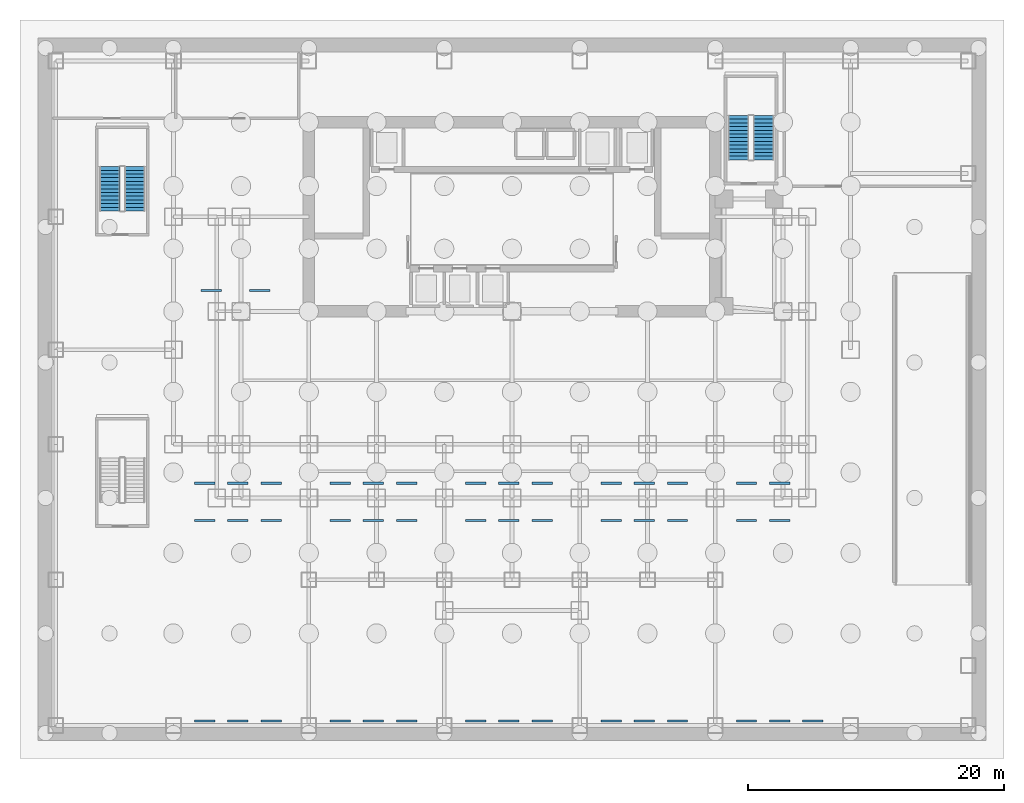
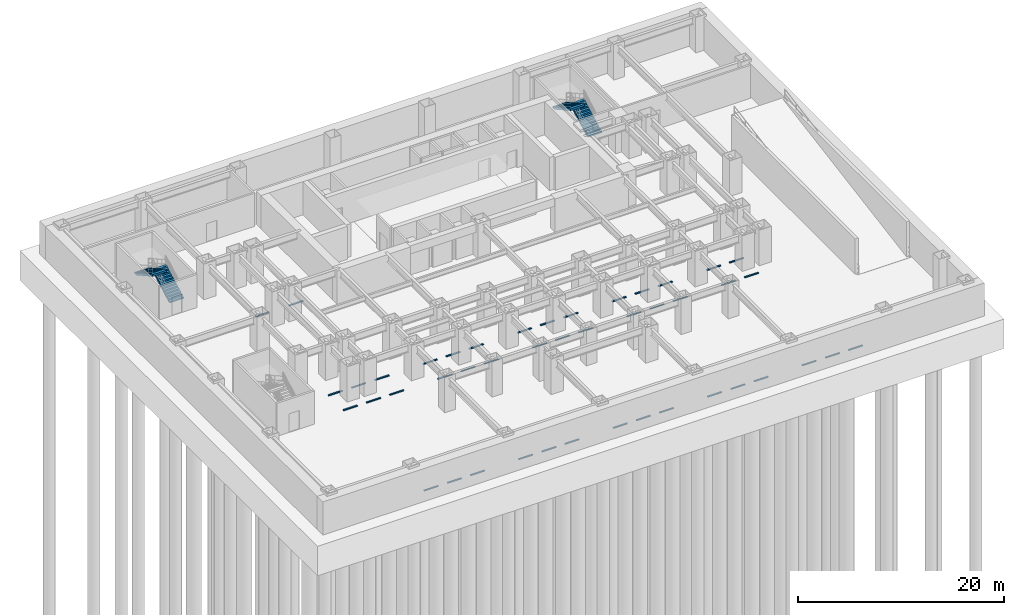
# One storey, part 5 of 7: 45 discrete accessories, 4 stair flights, 2 elements without a shape of their own.
"""IFC4 building model written with IfcOpenShell, lengths in metres."""

from ifc_helpers import new_model, si_unit, direction, frame, origin, origin_2d, place, context, subcontext, project, spatial, polyline, rectangle, outline, extrude, source, transform, mapped, material, type_object, element, aggregate, save


model = new_model("IFC4")

# Units and contexts
model_context = context("Model", 3, precision=1e-05, world=origin(), true_north=direction((0.0, 1.0)))
body_context = subcontext(model_context, "Body", "Model", "MODEL_VIEW")
ifc_project = project(units=[si_unit("LENGTHUNIT", "METRE"), si_unit("AREAUNIT", "SQUARE_METRE"), si_unit("VOLUMEUNIT", "CUBIC_METRE"), si_unit("PLANEANGLEUNIT", "RADIAN"), si_unit("MASSUNIT", "GRAM", prefix="KILO")], contexts=[model_context])

# Site, building, storey
site_placement = place(None, origin())
site = spatial("IfcSite", under=ifc_project, at=site_placement, CompositionType="ELEMENT")
building_placement = place(site_placement, origin())
building = spatial("IfcBuilding", under=site, at=building_placement, Name="Qianlan Lanfeng Residences", CompositionType="ELEMENT")
storey_placement = place(building_placement, frame((0.0, 0.0, -8.39990234375)))
storey = spatial("IfcBuildingStorey", under=building, at=storey_placement, Name="B2", CompositionType="ELEMENT", Elevation=-8.39990234375)

# Stair, stair flights
ifc_material_1 = material(Name="Concrete C42", Category="concrete")
stair_type = type_object("IfcStairType", Name="STR-POD", PredefinedType="HALF_TURN_STAIR", material=ifc_material_1)
stair_1_placement = place(storey_placement, origin())
stair_1 = element("IfcStair", 1, at=stair_1_placement, inside=storey, type_object=stair_type, Name="B2 Exit Stair ST-B1", PredefinedType="HALF_TURN_STAIR")
stair_flight_type = type_object("IfcStairFlightType", Name="FLT-1650", PredefinedType="STRAIGHT", material=ifc_material_1)
stair_flight_1_placement = place(storey_placement, frame((-3.02001953125, 33.050048828125, 0.0), z_axis=(0.0, 0.0, 1.0), x_axis=(0.0, 1.0, 0.0)))
stair_flight_1 = element("IfcStairFlight", 2, at=stair_flight_1_placement, type_object=stair_flight_type, Name="ST-B1 flight 1", NumberOfRisers=13, NumberOfTreads=12, PredefinedType="STRAIGHT", RiserHeight=0.161538462, TreadLength=0.29, context=body_context, shape_type="SweptSolid", body=[
    extrude(outline(polyline([(0.0, 0.0), (0.0, 0.16162109375), (0.2900390625, 0.16162109375), (0.2900390625, 0.322998046875), (0.580078125, 0.322998046875), (0.580078125, 0.484619140625), (0.8701171875, 0.484619140625), (0.8701171875, 0.646240234375), (1.159912109375, 0.646240234375), (1.159912109375, 0.8076171875), (1.449951171875, 0.8076171875), (1.449951171875, 0.96923828125), (1.739990234375, 0.96923828125), (1.739990234375, 1.130859375), (2.030029296875, 1.130859375), (2.030029296875, 1.292236328125), (2.320068359375, 1.292236328125), (2.320068359375, 1.453857421875), (2.610107421875, 1.453857421875), (2.610107421875, 1.615478515625), (2.89990234375, 1.615478515625), (2.89990234375, 1.77685546875), (3.18994140625, 1.77685546875), (3.18994140625, 1.9384765625), (3.47998046875, 1.9384765625), (3.47998046875, 2.10009765625), (3.47998046875, 1.732421875), (0.369873046875, 0.0), (0.0, 0.0)])), frame((0.0, 0.7900390625, 0.0), z_axis=(0.0, -1.0, 0.0), x_axis=(1.0, 0.0, 0.0)), (0.0, 0.0, 1.0), 1.580078125),
])
stair_flight_2_placement = place(storey_placement, frame((-4.97998046875, 36.530029296875, 2.099853515625), z_axis=(0.0, 0.0, 1.0), x_axis=(0.0, -1.0, 0.0)))
stair_flight_2 = element("IfcStairFlight", 3, at=stair_flight_2_placement, type_object=stair_flight_type, Name="ST-B1 flight 2", NumberOfRisers=13, NumberOfTreads=12, PredefinedType="STRAIGHT", RiserHeight=0.161538462, TreadLength=0.29, context=body_context, shape_type="SweptSolid", body=[
    extrude(outline(polyline([(0.0, 0.0), (0.0, 0.16162109375), (0.2900390625, 0.16162109375), (0.2900390625, 0.322998046875), (0.580078125, 0.322998046875), (0.580078125, 0.484619140625), (0.8701171875, 0.484619140625), (0.8701171875, 0.646240234375), (1.159912109375, 0.646240234375), (1.159912109375, 0.8076171875), (1.449951171875, 0.8076171875), (1.449951171875, 0.96923828125), (1.739990234375, 0.96923828125), (1.739990234375, 1.130859375), (2.030029296875, 1.130859375), (2.030029296875, 1.292236328125), (2.320068359375, 1.292236328125), (2.320068359375, 1.453857421875), (2.610107421875, 1.453857421875), (2.610107421875, 1.615478515625), (2.89990234375, 1.615478515625), (2.89990234375, 1.77685546875), (3.18994140625, 1.77685546875), (3.18994140625, 1.9384765625), (3.47998046875, 1.9384765625), (3.47998046875, 2.10009765625), (3.47998046875, 1.732421875), (0.369873046875, 0.0), (0.0, 0.0)])), frame((0.0, 0.7900390625, 0.0), z_axis=(0.0, -1.0, 0.0), x_axis=(1.0, 0.0, 0.0)), (0.0, 0.0, 1.0), 1.580078125),
])
aggregate(stair_1, [stair_flight_1, stair_flight_2])

stair_2_placement = place(storey_placement, origin())
stair_2 = element("IfcStair", 4, at=stair_2_placement, inside=storey, type_object=stair_type, Name="B2 Exit Stair ST-B2", PredefinedType="HALF_TURN_STAIR")
stair_flight_3_placement = place(storey_placement, frame((46.179931640625, 37.050048828125, 0.0), z_axis=(0.0, 0.0, 1.0), x_axis=(0.0, 1.0, 0.0)))
stair_flight_3 = element("IfcStairFlight", 5, at=stair_flight_3_placement, type_object=stair_flight_type, Name="ST-B2 flight 1", NumberOfRisers=13, NumberOfTreads=12, PredefinedType="STRAIGHT", RiserHeight=0.161538462, TreadLength=0.29, context=body_context, shape_type="SweptSolid", body=[
    extrude(outline(polyline([(0.0, 0.0), (0.0, 0.16162109375), (0.2900390625, 0.16162109375), (0.2900390625, 0.322998046875), (0.580078125, 0.322998046875), (0.580078125, 0.484619140625), (0.8701171875, 0.484619140625), (0.8701171875, 0.646240234375), (1.159912109375, 0.646240234375), (1.159912109375, 0.8076171875), (1.449951171875, 0.8076171875), (1.449951171875, 0.96923828125), (1.739990234375, 0.96923828125), (1.739990234375, 1.130859375), (2.030029296875, 1.130859375), (2.030029296875, 1.292236328125), (2.320068359375, 1.292236328125), (2.320068359375, 1.453857421875), (2.610107421875, 1.453857421875), (2.610107421875, 1.615478515625), (2.89990234375, 1.615478515625), (2.89990234375, 1.77685546875), (3.18994140625, 1.77685546875), (3.18994140625, 1.9384765625), (3.47998046875, 1.9384765625), (3.47998046875, 2.10009765625), (3.47998046875, 1.732421875), (0.369873046875, 0.0), (0.0, 0.0)])), frame((0.0, 0.7900390625, 0.0), z_axis=(0.0, -1.0, 0.0), x_axis=(1.0, 0.0, 0.0)), (0.0, 0.0, 1.0), 1.580078125),
])
stair_flight_4_placement = place(storey_placement, frame((44.219970703125, 40.530029296875, 2.099853515625), z_axis=(0.0, 0.0, 1.0), x_axis=(0.0, -1.0, 0.0)))
stair_flight_4 = element("IfcStairFlight", 6, at=stair_flight_4_placement, type_object=stair_flight_type, Name="ST-B2 flight 2", NumberOfRisers=13, NumberOfTreads=12, PredefinedType="STRAIGHT", RiserHeight=0.161538462, TreadLength=0.29, context=body_context, shape_type="SweptSolid", body=[
    extrude(outline(polyline([(0.0, 0.0), (0.0, 0.16162109375), (0.2900390625, 0.16162109375), (0.2900390625, 0.322998046875), (0.580078125, 0.322998046875), (0.580078125, 0.484619140625), (0.8701171875, 0.484619140625), (0.8701171875, 0.646240234375), (1.159912109375, 0.646240234375), (1.159912109375, 0.8076171875), (1.449951171875, 0.8076171875), (1.449951171875, 0.96923828125), (1.739990234375, 0.96923828125), (1.739990234375, 1.130859375), (2.030029296875, 1.130859375), (2.030029296875, 1.292236328125), (2.320068359375, 1.292236328125), (2.320068359375, 1.453857421875), (2.610107421875, 1.453857421875), (2.610107421875, 1.615478515625), (2.89990234375, 1.615478515625), (2.89990234375, 1.77685546875), (3.18994140625, 1.77685546875), (3.18994140625, 1.9384765625), (3.47998046875, 1.9384765625), (3.47998046875, 2.10009765625), (3.47998046875, 1.732421875), (0.369873046875, 0.0), (0.0, 0.0)])), frame((0.0, 0.7900390625, 0.0), z_axis=(0.0, -1.0, 0.0), x_axis=(1.0, 0.0, 0.0)), (0.0, 0.0, 1.0), 1.580078125),
])
aggregate(stair_2, [stair_flight_3, stair_flight_4])

# Discrete accessories
ifc_material_2 = material(Name="Vulcanised Recycled Rubber Wheel Stop")
discrete_accessory_type = type_object("IfcDiscreteAccessoryType", Name="PK-WS-1600", PredefinedType="USERDEFINED", material=ifc_material_2)
shared_shape = source(origin(), body_context, "Body", "SweptSolid", [
    extrude(rectangle(XDim=1.60009765625, YDim=0.159912109375, at=origin_2d()), origin(), (0.0, 0.0, 1.0), 0.1201171875),
])
for number, where, z_axis, x_axis, name in (
    (7, (2.449951171875, -6.85009765625, -0.005126953125), (0.0, 0.0, 1.0), (1.0, 0.0, 0.0), "B2 Parking Bay Wheel Stop PK-001"),
    (8, (5.050048828125, -6.85009765625, -0.005126953125), (0.0, 0.0, 1.0), (1.0, 0.0, 0.0), "B2 Parking Bay Wheel Stop PK-002"),
    (9, (7.64990234375, -6.85009765625, -0.005126953125), (0.0, 0.0, 1.0), (1.0, 0.0, 0.0), "B2 Parking Bay Wheel Stop PK-003"),
    (10, (13.050048828125, -6.85009765625, -0.005126953125), (0.0, 0.0, 1.0), (1.0, 0.0, 0.0), "B2 Parking Bay Wheel Stop PK-004"),
    (11, (15.64990234375, -6.85009765625, -0.005126953125), (0.0, 0.0, 1.0), (1.0, 0.0, 0.0), "B2 Parking Bay Wheel Stop PK-005"),
    (12, (18.25, -6.85009765625, -0.005126953125), (0.0, 0.0, 1.0), (1.0, 0.0, 0.0), "B2 Parking Bay Wheel Stop PK-006"),
    (13, (23.64990234375, -6.85009765625, -0.005126953125), (0.0, 0.0, 1.0), (1.0, 0.0, 0.0), "B2 Parking Bay Wheel Stop PK-007"),
    (14, (26.25, -6.85009765625, -0.005126953125), (0.0, 0.0, 1.0), (1.0, 0.0, 0.0), "B2 Parking Bay Wheel Stop PK-008"),
    (15, (28.85009765625, -6.85009765625, -0.005126953125), (0.0, 0.0, 1.0), (1.0, 0.0, 0.0), "B2 Parking Bay Wheel Stop PK-009"),
    (16, (34.25, -6.85009765625, -0.005126953125), (0.0, 0.0, 1.0), (1.0, 0.0, 0.0), "B2 Parking Bay Wheel Stop PK-010"),
    (17, (36.85009765625, -6.85009765625, -0.005126953125), (0.0, 0.0, 1.0), (1.0, 0.0, 0.0), "B2 Parking Bay Wheel Stop PK-011"),
    (18, (39.449951171875, -6.85009765625, -0.005126953125), (0.0, 0.0, 1.0), (1.0, 0.0, 0.0), "B2 Parking Bay Wheel Stop PK-012"),
    (19, (44.85009765625, -6.85009765625, -0.005126953125), (0.0, 0.0, 1.0), (1.0, 0.0, 0.0), "B2 Parking Bay Wheel Stop PK-013"),
    (20, (47.449951171875, -6.85009765625, -0.005126953125), (0.0, 0.0, 1.0), (1.0, 0.0, 0.0), "B2 Parking Bay Wheel Stop PK-014"),
    (21, (50.050048828125, -6.85009765625, -0.005126953125), (0.0, 0.0, 1.0), (1.0, 0.0, 0.0), "B2 Parking Bay Wheel Stop PK-015"),
    (22, (2.449951171875, 8.85009765625, -0.005126953125), (0.0, 0.0, 1.0), (1.0, 0.0, 0.0), "B2 Parking Bay Wheel Stop PK-016"),
    (23, (5.050048828125, 8.85009765625, -0.005126953125), (0.0, 0.0, 1.0), (1.0, 0.0, 0.0), "B2 Parking Bay Wheel Stop PK-017"),
    (24, (7.64990234375, 8.85009765625, -0.005126953125), (0.0, 0.0, 1.0), (1.0, 0.0, 0.0), "B2 Parking Bay Wheel Stop PK-018"),
    (25, (13.050048828125, 8.85009765625, -0.005126953125), (0.0, 0.0, 1.0), (1.0, 0.0, 0.0), "B2 Parking Bay Wheel Stop PK-019"),
    (26, (15.64990234375, 8.85009765625, -0.005126953125), (0.0, 0.0, 1.0), (1.0, 0.0, 0.0), "B2 Parking Bay Wheel Stop PK-020"),
    (27, (18.25, 8.85009765625, -0.005126953125), (0.0, 0.0, 1.0), (1.0, 0.0, 0.0), "B2 Parking Bay Wheel Stop PK-021"),
    (28, (23.64990234375, 8.85009765625, -0.005126953125), (0.0, 0.0, 1.0), (1.0, 0.0, 0.0), "B2 Parking Bay Wheel Stop PK-022"),
    (29, (26.25, 8.85009765625, -0.005126953125), (0.0, 0.0, 1.0), (1.0, 0.0, 0.0), "B2 Parking Bay Wheel Stop PK-023"),
    (30, (28.85009765625, 8.85009765625, -0.005126953125), (0.0, 0.0, 1.0), (1.0, 0.0, 0.0), "B2 Parking Bay Wheel Stop PK-024"),
    (31, (34.25, 8.85009765625, -0.005126953125), (0.0, 0.0, 1.0), (1.0, 0.0, 0.0), "B2 Parking Bay Wheel Stop PK-025"),
    (32, (36.85009765625, 8.85009765625, -0.005126953125), (0.0, 0.0, 1.0), (1.0, 0.0, 0.0), "B2 Parking Bay Wheel Stop PK-026"),
    (33, (39.449951171875, 8.85009765625, -0.005126953125), (0.0, 0.0, 1.0), (1.0, 0.0, 0.0), "B2 Parking Bay Wheel Stop PK-027"),
    (34, (44.85009765625, 8.85009765625, -0.005126953125), (0.0, 0.0, 1.0), (1.0, 0.0, 0.0), "B2 Parking Bay Wheel Stop PK-028"),
    (35, (47.449951171875, 8.85009765625, -0.005126953125), (0.0, 0.0, 1.0), (1.0, 0.0, 0.0), "B2 Parking Bay Wheel Stop PK-029"),
    (36, (2.449951171875, 11.75, -0.005126953125), (0.0, 0.0, 1.0), (1.0, 0.0, 0.0), "B2 Parking Bay Wheel Stop PK-030"),
    (37, (5.050048828125, 11.75, -0.005126953125), (0.0, 0.0, 1.0), (1.0, 0.0, 0.0), "B2 Parking Bay Wheel Stop PK-031"),
    (38, (7.64990234375, 11.75, -0.005126953125), (0.0, 0.0, 1.0), (1.0, 0.0, 0.0), "B2 Parking Bay Wheel Stop PK-032"),
    (39, (13.050048828125, 11.75, -0.005126953125), (0.0, 0.0, 1.0), (1.0, 0.0, 0.0), "B2 Parking Bay Wheel Stop PK-033"),
    (40, (15.64990234375, 11.75, -0.005126953125), (0.0, 0.0, 1.0), (1.0, 0.0, 0.0), "B2 Parking Bay Wheel Stop PK-034"),
    (41, (18.25, 11.75, -0.005126953125), (0.0, 0.0, 1.0), (1.0, 0.0, 0.0), "B2 Parking Bay Wheel Stop PK-035"),
    (42, (23.64990234375, 11.75, -0.005126953125), (0.0, 0.0, 1.0), (1.0, 0.0, 0.0), "B2 Parking Bay Wheel Stop PK-036"),
    (43, (26.25, 11.75, -0.005126953125), (0.0, 0.0, 1.0), (1.0, 0.0, 0.0), "B2 Parking Bay Wheel Stop PK-037"),
    (44, (28.85009765625, 11.75, -0.005126953125), (0.0, 0.0, 1.0), (1.0, 0.0, 0.0), "B2 Parking Bay Wheel Stop PK-038"),
    (45, (34.25, 11.75, -0.005126953125), (0.0, 0.0, 1.0), (1.0, 0.0, 0.0), "B2 Parking Bay Wheel Stop PK-039"),
    (46, (36.85009765625, 11.75, -0.005126953125), (0.0, 0.0, 1.0), (1.0, 0.0, 0.0), "B2 Parking Bay Wheel Stop PK-040"),
    (47, (39.449951171875, 11.75, -0.005126953125), (0.0, 0.0, 1.0), (1.0, 0.0, 0.0), "B2 Parking Bay Wheel Stop PK-041"),
    (48, (44.85009765625, 11.75, -0.005126953125), (0.0, 0.0, 1.0), (1.0, 0.0, 0.0), "B2 Parking Bay Wheel Stop PK-042"),
    (49, (47.449951171875, 11.75, -0.005126953125), (0.0, 0.0, 1.0), (1.0, 0.0, 0.0), "B2 Parking Bay Wheel Stop PK-043"),
    (50, (2.949951171875, 26.85009765625, -0.005126953125), (0.0, 0.0, 1.0), (1.0, 0.0, 0.0), "B2 Accessible Parking Bay Wheel Stop PK-ACC-044"),
    (51, (6.75, 26.85009765625, -0.005126953125), (0.0, 0.0, 1.0), (1.0, 0.0, 0.0), "B2 Accessible Parking Bay Wheel Stop PK-ACC-045"),
):
    element("IfcDiscreteAccessory", number, at=place(storey_placement, frame(where, z_axis=z_axis, x_axis=x_axis)), inside=storey, type_object=discrete_accessory_type, Name=name, ObjectType="WHEEL_STOP", PredefinedType="USERDEFINED", context=body_context, shape_type="MappedRepresentation", body=[
        mapped(shared_shape, transform((0.0, 0.0, 0.0), scale=1.0)),
    ])

save(model, "model.ifc")
